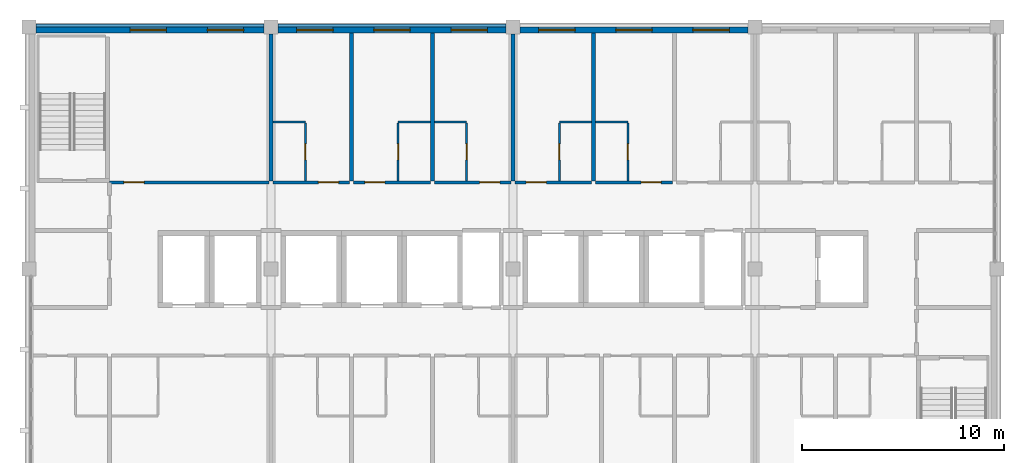
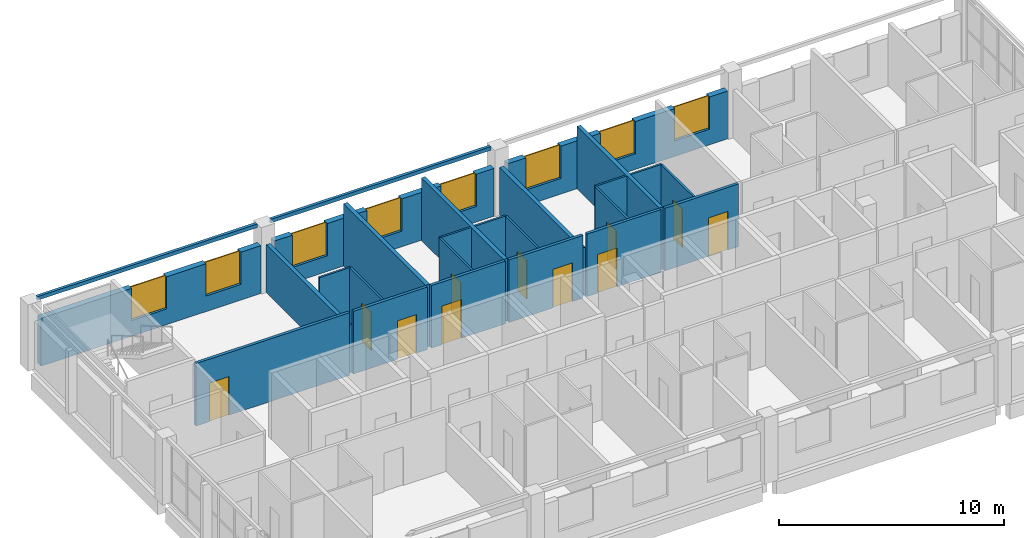
# One storey, part 8 of 11: 26 walls, 11 doors, 8 windows, 19 openings.
"""IFC4 building model written with IfcOpenShell, lengths in metres."""

from ifc_helpers import new_model, si_unit, direction, frame, frame_2d, origin, place, context, subcontext, project, spatial, rectangle, extrude, material, layer, layer_set, type_object, element, fill, save


model = new_model("IFC4")

# Units and contexts
model_context = context("Model", 3, precision=1e-05, world=origin(), true_north=direction((0.0, 1.0)))
body_context = subcontext(model_context, "Body", "Model", "MODEL_VIEW")
ifc_project = project(units=[si_unit("LENGTHUNIT", "METRE"), si_unit("AREAUNIT", "SQUARE_METRE"), si_unit("VOLUMEUNIT", "CUBIC_METRE"), si_unit("PLANEANGLEUNIT", "RADIAN"), si_unit("MASSUNIT", "GRAM", prefix="KILO")], contexts=[model_context])

# Site, building, storey
site_placement = place(None, origin())
site = spatial("IfcSite", under=ifc_project, at=site_placement, CompositionType="ELEMENT")
building_placement = place(site_placement, origin())
building = spatial("IfcBuilding", under=site, at=building_placement, Name="Lilac Gate Convention Centre", CompositionType="ELEMENT")
storey_placement = place(building_placement, frame((0.0, 0.0, 53.39990234375)))
storey = spatial("IfcBuildingStorey", under=building, at=storey_placement, Name="L13", CompositionType="ELEMENT", Elevation=53.39990234375)

# Wall, opening, door
ifc_material_1 = material(Name="Gypsum board on steel stud", Category="steel")
ifc_layer_1 = layer(ifc_material_1, 0.14990234375)
ifc_layer_set_1 = layer_set([ifc_layer_1], Name="Gypsum board on steel stud")
wall_type_1 = type_object("IfcWallType", Name="Corridor wall 150", PredefinedType="PARTITIONING", material=ifc_layer_set_1)
wall_1_placement = place(storey_placement, frame((46.0, 238.300048828125, 0.0), z_axis=(0.0, 0.0, 1.0), x_axis=(1.0, 0.0, 0.0)))
wall_1 = element("IfcWall", 1, at=wall_1_placement, inside=storey, type_object=wall_type_1, Name="Corridor wall 150 front lounge", PredefinedType="PARTITIONING", context=body_context, shape_type="SweptSolid", body=[
    extrude(rectangle(XDim=7.89990234375, YDim=0.14990234375, at=frame_2d((3.949951171875, 0.0))), origin(), (0.0, 0.0, 1.0), 3.400146484375),
])
opening_1_placement = place(wall_1_placement, frame((0.699951171875, 0.0, 0.0)))
opening_1 = element("IfcOpeningElement", 2, at=opening_1_placement, cuts=wall_1, Name="Opening T13-028", PredefinedType="OPENING", context=body_context, shape_type="SweptSolid", body=[
    extrude(rectangle(XDim=1.0, YDim=2.10009765625, at=frame_2d((0.5, 1.050048828125))), frame((0.0, 0.0849609375, 0.0), z_axis=(0.0, -1.0, 0.0), x_axis=(1.0, 0.0, 0.0)), (0.0, 0.0, 1.0), 0.169921875),
])
ifc_material_2 = material(Name="Timber", Category="wood")
door_type_1 = type_object("IfcDoorType", Name="Room door 1000", OperationType="SINGLE_SWING_LEFT", PredefinedType="DOOR", material=ifc_material_2)
door_1_placement = place(opening_1_placement, origin())
door_1 = element("IfcDoor", 3, at=door_1_placement, inside=storey, type_object=door_type_1, Name="Executive lounge door", OperationType="SINGLE_SWING_LEFT", OverallHeight=2.10009765625, OverallWidth=1.0, PredefinedType="DOOR", context=body_context, shape_type="SweptSolid", body=[
    extrude(rectangle(XDim=1.0, YDim=2.10009765625, at=frame_2d((0.5, 1.050048828125))), frame((0.0, 0.02490234375, 0.0), z_axis=(0.0, -1.0, 0.0), x_axis=(1.0, 0.0, 0.0)), (0.0, 0.0, 1.0), 0.050048828125),
])
fill(opening_1, door_1)

wall_2_placement = place(storey_placement, frame((54.10009765625, 238.300048828125, 0.0), z_axis=(0.0, 0.0, 1.0), x_axis=(1.0, 0.0, 0.0)))
wall_2 = element("IfcWall", 4, at=wall_2_placement, inside=storey, type_object=wall_type_1, Name="Corridor wall 150 front 1312", PredefinedType="PARTITIONING", context=body_context, shape_type="SweptSolid", body=[
    extrude(rectangle(XDim=3.7998046875, YDim=0.14990234375, at=frame_2d((1.89990234375, 0.0))), origin(), (0.0, 0.0, 1.0), 3.400146484375),
])
opening_2_placement = place(wall_2_placement, frame((2.25, 0.0, 0.0)))
opening_2 = element("IfcOpeningElement", 5, at=opening_2_placement, cuts=wall_2, Name="Opening T13-029", PredefinedType="OPENING", context=body_context, shape_type="SweptSolid", body=[
    extrude(rectangle(XDim=1.0, YDim=2.10009765625, at=frame_2d((0.5, 1.050048828125))), frame((0.0, 0.0849609375, 0.0), z_axis=(0.0, -1.0, 0.0), x_axis=(1.0, 0.0, 0.0)), (0.0, 0.0, 1.0), 0.169921875),
])
door_type_2 = type_object("IfcDoorType", Name="Guest room entrance door 1000", OperationType="SINGLE_SWING_LEFT", PredefinedType="DOOR", material=ifc_material_2)
door_2_placement = place(opening_2_placement, origin())
door_2 = element("IfcDoor", 6, at=door_2_placement, inside=storey, type_object=door_type_2, Name="Guest room door 1312", OperationType="SINGLE_SWING_RIGHT", OverallHeight=2.10009765625, OverallWidth=1.0, PredefinedType="DOOR", context=body_context, shape_type="SweptSolid", body=[
    extrude(rectangle(XDim=1.0, YDim=2.10009765625, at=frame_2d((0.5, 1.050048828125))), frame((0.0, 0.02490234375, 0.0), z_axis=(0.0, -1.0, 0.0), x_axis=(1.0, 0.0, 0.0)), (0.0, 0.0, 1.0), 0.050048828125),
])
fill(opening_2, door_2)

wall_3_placement = place(storey_placement, frame((58.10009765625, 238.300048828125, 0.0), z_axis=(0.0, 0.0, 1.0), x_axis=(1.0, 0.0, 0.0)))
wall_3 = element("IfcWall", 7, at=wall_3_placement, inside=storey, type_object=wall_type_1, Name="Corridor wall 150 front 1313", PredefinedType="PARTITIONING", context=body_context, shape_type="SweptSolid", body=[
    extrude(rectangle(XDim=3.7998046875, YDim=0.14990234375, at=frame_2d((1.89990234375, 0.0))), origin(), (0.0, 0.0, 1.0), 3.400146484375),
])
opening_3_placement = place(wall_3_placement, frame((0.550048828125, 0.0, 0.0)))
opening_3 = element("IfcOpeningElement", 8, at=opening_3_placement, cuts=wall_3, Name="Opening T13-031", PredefinedType="OPENING", context=body_context, shape_type="SweptSolid", body=[
    extrude(rectangle(XDim=1.0, YDim=2.10009765625, at=frame_2d((0.5, 1.050048828125))), frame((0.0, 0.0849609375, 0.0), z_axis=(0.0, -1.0, 0.0), x_axis=(1.0, 0.0, 0.0)), (0.0, 0.0, 1.0), 0.169921875),
])
door_3_placement = place(opening_3_placement, origin())
door_3 = element("IfcDoor", 9, at=door_3_placement, inside=storey, type_object=door_type_2, Name="Guest room door 1313", OperationType="SINGLE_SWING_LEFT", OverallHeight=2.10009765625, OverallWidth=1.0, PredefinedType="DOOR", context=body_context, shape_type="SweptSolid", body=[
    extrude(rectangle(XDim=1.0, YDim=2.10009765625, at=frame_2d((0.5, 1.050048828125))), frame((0.0, 0.02490234375, 0.0), z_axis=(0.0, -1.0, 0.0), x_axis=(1.0, 0.0, 0.0)), (0.0, 0.0, 1.0), 0.050048828125),
])
fill(opening_3, door_3)

wall_4_placement = place(storey_placement, frame((62.10009765625, 238.300048828125, 0.0), z_axis=(0.0, 0.0, 1.0), x_axis=(1.0, 0.0, 0.0)))
wall_4 = element("IfcWall", 10, at=wall_4_placement, inside=storey, type_object=wall_type_1, Name="Corridor wall 150 front 1314", PredefinedType="PARTITIONING", context=body_context, shape_type="SweptSolid", body=[
    extrude(rectangle(XDim=3.7998046875, YDim=0.14990234375, at=frame_2d((1.89990234375, 0.0))), origin(), (0.0, 0.0, 1.0), 3.400146484375),
])
opening_4_placement = place(wall_4_placement, frame((2.25, 0.0, 0.0)))
opening_4 = element("IfcOpeningElement", 11, at=opening_4_placement, cuts=wall_4, Name="Opening T13-033", PredefinedType="OPENING", context=body_context, shape_type="SweptSolid", body=[
    extrude(rectangle(XDim=1.0, YDim=2.10009765625, at=frame_2d((0.5, 1.050048828125))), frame((0.0, 0.0849609375, 0.0), z_axis=(0.0, -1.0, 0.0), x_axis=(1.0, 0.0, 0.0)), (0.0, 0.0, 1.0), 0.169921875),
])
door_4_placement = place(opening_4_placement, origin())
door_4 = element("IfcDoor", 12, at=door_4_placement, inside=storey, type_object=door_type_2, Name="Guest room door 1314", OperationType="SINGLE_SWING_LEFT", OverallHeight=2.10009765625, OverallWidth=1.0, PredefinedType="DOOR", context=body_context, shape_type="SweptSolid", body=[
    extrude(rectangle(XDim=1.0, YDim=2.10009765625, at=frame_2d((0.5, 1.050048828125))), frame((0.0, 0.02490234375, 0.0), z_axis=(0.0, -1.0, 0.0), x_axis=(1.0, 0.0, 0.0)), (0.0, 0.0, 1.0), 0.050048828125),
])
fill(opening_4, door_4)

wall_5_placement = place(storey_placement, frame((66.10009765625, 238.300048828125, 0.0), z_axis=(0.0, 0.0, 1.0), x_axis=(1.0, 0.0, 0.0)))
wall_5 = element("IfcWall", 13, at=wall_5_placement, inside=storey, type_object=wall_type_1, Name="Corridor wall 150 front 1315", PredefinedType="PARTITIONING", context=body_context, shape_type="SweptSolid", body=[
    extrude(rectangle(XDim=3.7998046875, YDim=0.14990234375, at=frame_2d((1.89990234375, 0.0))), origin(), (0.0, 0.0, 1.0), 3.400146484375),
])
opening_5_placement = place(wall_5_placement, frame((0.550048828125, 0.0, 0.0)))
opening_5 = element("IfcOpeningElement", 14, at=opening_5_placement, cuts=wall_5, Name="Opening T13-035", PredefinedType="OPENING", context=body_context, shape_type="SweptSolid", body=[
    extrude(rectangle(XDim=1.0, YDim=2.10009765625, at=frame_2d((0.5, 1.050048828125))), frame((0.0, 0.0849609375, 0.0), z_axis=(0.0, -1.0, 0.0), x_axis=(1.0, 0.0, 0.0)), (0.0, 0.0, 1.0), 0.169921875),
])
door_5_placement = place(opening_5_placement, origin())
door_5 = element("IfcDoor", 15, at=door_5_placement, inside=storey, type_object=door_type_2, Name="Guest room door 1315", OperationType="SINGLE_SWING_LEFT", OverallHeight=2.10009765625, OverallWidth=1.0, PredefinedType="DOOR", context=body_context, shape_type="SweptSolid", body=[
    extrude(rectangle(XDim=1.0, YDim=2.10009765625, at=frame_2d((0.5, 1.050048828125))), frame((0.0, 0.02490234375, 0.0), z_axis=(0.0, -1.0, 0.0), x_axis=(1.0, 0.0, 0.0)), (0.0, 0.0, 1.0), 0.050048828125),
])
fill(opening_5, door_5)

wall_6_placement = place(storey_placement, frame((70.10009765625, 238.300048828125, 0.0), z_axis=(0.0, 0.0, 1.0), x_axis=(1.0, 0.0, 0.0)))
wall_6 = element("IfcWall", 16, at=wall_6_placement, inside=storey, type_object=wall_type_1, Name="Corridor wall 150 front 1316", PredefinedType="PARTITIONING", context=body_context, shape_type="SweptSolid", body=[
    extrude(rectangle(XDim=3.7998046875, YDim=0.14990234375, at=frame_2d((1.89990234375, 0.0))), origin(), (0.0, 0.0, 1.0), 3.400146484375),
])
opening_6_placement = place(wall_6_placement, frame((2.25, 0.0, 0.0)))
opening_6 = element("IfcOpeningElement", 17, at=opening_6_placement, cuts=wall_6, Name="Opening T13-037", PredefinedType="OPENING", context=body_context, shape_type="SweptSolid", body=[
    extrude(rectangle(XDim=1.0, YDim=2.10009765625, at=frame_2d((0.5, 1.050048828125))), frame((0.0, 0.0849609375, 0.0), z_axis=(0.0, -1.0, 0.0), x_axis=(1.0, 0.0, 0.0)), (0.0, 0.0, 1.0), 0.169921875),
])
door_6_placement = place(opening_6_placement, origin())
door_6 = element("IfcDoor", 18, at=door_6_placement, inside=storey, type_object=door_type_2, Name="Guest room door 1316", OperationType="SINGLE_SWING_LEFT", OverallHeight=2.10009765625, OverallWidth=1.0, PredefinedType="DOOR", context=body_context, shape_type="SweptSolid", body=[
    extrude(rectangle(XDim=1.0, YDim=2.10009765625, at=frame_2d((0.5, 1.050048828125))), frame((0.0, 0.02490234375, 0.0), z_axis=(0.0, -1.0, 0.0), x_axis=(1.0, 0.0, 0.0)), (0.0, 0.0, 1.0), 0.050048828125),
])
fill(opening_6, door_6)

# Wall
ifc_layer_2 = layer(ifc_material_1, 0.10009765625)
ifc_layer_set_2 = layer_set([ifc_layer_2], Name="Gypsum board on steel stud")
wall_type_2 = type_object("IfcWallType", Name="En-suite wall 100", PredefinedType="PARTITIONING", material=ifc_layer_set_2)
wall_7_placement = place(storey_placement, frame((54.10009765625, 241.300048828125, 0.0), z_axis=(0.0, 0.0, 1.0), x_axis=(1.0, 0.0, 0.0)))
element("IfcWall", 19, at=wall_7_placement, inside=storey, type_object=wall_type_2, Name="En-suite wall 100 bath 1312", PredefinedType="PARTITIONING", context=body_context, shape_type="SweptSolid", body=[
    extrude(rectangle(XDim=1.599853515625, YDim=0.10009765625, at=frame_2d((0.7998046875, 0.0))), origin(), (0.0, 0.0, 1.0), 3.400146484375),
])

# Wall, opening, door
wall_8_placement = place(storey_placement, frame((55.699951171875, 241.25, 0.0), z_axis=(0.0, 0.0, 1.0), x_axis=(0.0, -1.0, 0.0)))
wall_8 = element("IfcWall", 20, at=wall_8_placement, inside=storey, type_object=wall_type_2, Name="En-suite wall 100 bath side 1312", PredefinedType="PARTITIONING", context=body_context, shape_type="SweptSolid", body=[
    extrude(rectangle(XDim=2.875, YDim=0.10009765625, at=frame_2d((1.4375, 0.0))), origin(), (0.0, 0.0, 1.0), 3.400146484375),
])
opening_7_placement = place(wall_8_placement, frame((1.03759765625, 0.0, 0.0)))
opening_7 = element("IfcOpeningElement", 21, at=opening_7_placement, cuts=wall_8, Name="Opening T13-030", PredefinedType="OPENING", context=body_context, shape_type="SweptSolid", body=[
    extrude(rectangle(XDim=0.800048828125, YDim=2.10009765625, at=frame_2d((0.39990234375, 1.050048828125))), frame((0.0, 0.06005859375, 0.0), z_axis=(0.0, -1.0, 0.0), x_axis=(1.0, 0.0, 0.0)), (0.0, 0.0, 1.0), 0.1201171875),
])
door_type_3 = type_object("IfcDoorType", Name="En-suite door 800", OperationType="SINGLE_SWING_LEFT", PredefinedType="DOOR", material=ifc_material_2)
door_7_placement = place(opening_7_placement, origin())
door_7 = element("IfcDoor", 22, at=door_7_placement, inside=storey, type_object=door_type_3, Name="En-suite door 1312", OperationType="SINGLE_SWING_RIGHT", OverallHeight=2.10009765625, OverallWidth=0.800048828125, PredefinedType="DOOR", context=body_context, shape_type="SweptSolid", body=[
    extrude(rectangle(XDim=0.800048828125, YDim=2.10009765625, at=frame_2d((0.39990234375, 1.050048828125))), frame((0.0, 0.02490234375, 0.0), z_axis=(0.0, -1.0, 0.0), x_axis=(1.0, 0.0, 0.0)), (0.0, 0.0, 1.0), 0.050048828125),
])
fill(opening_7, door_7)

# Wall
wall_9_placement = place(storey_placement, frame((60.300048828125, 241.300048828125, 0.0), z_axis=(0.0, 0.0, 1.0), x_axis=(1.0, 0.0, 0.0)))
element("IfcWall", 23, at=wall_9_placement, inside=storey, type_object=wall_type_2, Name="En-suite wall 100 bath 1313", PredefinedType="PARTITIONING", context=body_context, shape_type="SweptSolid", body=[
    extrude(rectangle(XDim=1.599853515625, YDim=0.10009765625, at=frame_2d((0.7998046875, 0.0))), origin(), (0.0, 0.0, 1.0), 3.400146484375),
])

# Wall, opening, door
wall_10_placement = place(storey_placement, frame((60.300048828125, 238.375, 0.0), z_axis=(0.0, 0.0, 1.0), x_axis=(0.0, 1.0, 0.0)))
wall_10 = element("IfcWall", 24, at=wall_10_placement, inside=storey, type_object=wall_type_2, Name="En-suite wall 100 bath side 1313", PredefinedType="PARTITIONING", context=body_context, shape_type="SweptSolid", body=[
    extrude(rectangle(XDim=2.875, YDim=0.10009765625, at=frame_2d((1.4375, 0.0))), origin(), (0.0, 0.0, 1.0), 3.400146484375),
])
opening_8_placement = place(wall_10_placement, frame((1.03759765625, 0.0, 0.0)))
opening_8 = element("IfcOpeningElement", 25, at=opening_8_placement, cuts=wall_10, Name="Opening T13-032", PredefinedType="OPENING", context=body_context, shape_type="SweptSolid", body=[
    extrude(rectangle(XDim=0.800048828125, YDim=2.10009765625, at=frame_2d((0.39990234375, 1.050048828125))), frame((0.0, 0.06005859375, 0.0), z_axis=(0.0, -1.0, 0.0), x_axis=(1.0, 0.0, 0.0)), (0.0, 0.0, 1.0), 0.1201171875),
])
door_8_placement = place(opening_8_placement, origin())
door_8 = element("IfcDoor", 26, at=door_8_placement, inside=storey, type_object=door_type_3, Name="En-suite door 1313", OperationType="SINGLE_SWING_LEFT", OverallHeight=2.10009765625, OverallWidth=0.800048828125, PredefinedType="DOOR", context=body_context, shape_type="SweptSolid", body=[
    extrude(rectangle(XDim=0.800048828125, YDim=2.10009765625, at=frame_2d((0.39990234375, 1.050048828125))), frame((0.0, 0.02490234375, 0.0), z_axis=(0.0, -1.0, 0.0), x_axis=(1.0, 0.0, 0.0)), (0.0, 0.0, 1.0), 0.050048828125),
])
fill(opening_8, door_8)

# Wall
wall_11_placement = place(storey_placement, frame((62.10009765625, 241.300048828125, 0.0), z_axis=(0.0, 0.0, 1.0), x_axis=(1.0, 0.0, 0.0)))
element("IfcWall", 27, at=wall_11_placement, inside=storey, type_object=wall_type_2, Name="En-suite wall 100 bath 1314", PredefinedType="PARTITIONING", context=body_context, shape_type="SweptSolid", body=[
    extrude(rectangle(XDim=1.599853515625, YDim=0.10009765625, at=frame_2d((0.7998046875, 0.0))), origin(), (0.0, 0.0, 1.0), 3.400146484375),
])

# Wall, opening, door
wall_12_placement = place(storey_placement, frame((63.699951171875, 241.25, 0.0), z_axis=(0.0, 0.0, 1.0), x_axis=(0.0, -1.0, 0.0)))
wall_12 = element("IfcWall", 28, at=wall_12_placement, inside=storey, type_object=wall_type_2, Name="En-suite wall 100 bath side 1314", PredefinedType="PARTITIONING", context=body_context, shape_type="SweptSolid", body=[
    extrude(rectangle(XDim=2.875, YDim=0.10009765625, at=frame_2d((1.4375, 0.0))), origin(), (0.0, 0.0, 1.0), 3.400146484375),
])
opening_9_placement = place(wall_12_placement, frame((1.03759765625, 0.0, 0.0)))
opening_9 = element("IfcOpeningElement", 29, at=opening_9_placement, cuts=wall_12, Name="Opening T13-034", PredefinedType="OPENING", context=body_context, shape_type="SweptSolid", body=[
    extrude(rectangle(XDim=0.800048828125, YDim=2.10009765625, at=frame_2d((0.39990234375, 1.050048828125))), frame((0.0, 0.06005859375, 0.0), z_axis=(0.0, -1.0, 0.0), x_axis=(1.0, 0.0, 0.0)), (0.0, 0.0, 1.0), 0.1201171875),
])
door_9_placement = place(opening_9_placement, origin())
door_9 = element("IfcDoor", 30, at=door_9_placement, inside=storey, type_object=door_type_3, Name="En-suite door 1314", OperationType="SINGLE_SWING_RIGHT", OverallHeight=2.10009765625, OverallWidth=0.800048828125, PredefinedType="DOOR", context=body_context, shape_type="SweptSolid", body=[
    extrude(rectangle(XDim=0.800048828125, YDim=2.10009765625, at=frame_2d((0.39990234375, 1.050048828125))), frame((0.0, 0.02490234375, 0.0), z_axis=(0.0, -1.0, 0.0), x_axis=(1.0, 0.0, 0.0)), (0.0, 0.0, 1.0), 0.050048828125),
])
fill(opening_9, door_9)

# Wall
wall_13_placement = place(storey_placement, frame((68.300048828125, 241.300048828125, 0.0), z_axis=(0.0, 0.0, 1.0), x_axis=(1.0, 0.0, 0.0)))
element("IfcWall", 31, at=wall_13_placement, inside=storey, type_object=wall_type_2, Name="En-suite wall 100 bath 1315", PredefinedType="PARTITIONING", context=body_context, shape_type="SweptSolid", body=[
    extrude(rectangle(XDim=1.599853515625, YDim=0.10009765625, at=frame_2d((0.7998046875, 0.0))), origin(), (0.0, 0.0, 1.0), 3.400146484375),
])

# Wall, opening, door
wall_14_placement = place(storey_placement, frame((68.300048828125, 238.375, 0.0), z_axis=(0.0, 0.0, 1.0), x_axis=(0.0, 1.0, 0.0)))
wall_14 = element("IfcWall", 32, at=wall_14_placement, inside=storey, type_object=wall_type_2, Name="En-suite wall 100 bath side 1315", PredefinedType="PARTITIONING", context=body_context, shape_type="SweptSolid", body=[
    extrude(rectangle(XDim=2.875, YDim=0.10009765625, at=frame_2d((1.4375, 0.0))), origin(), (0.0, 0.0, 1.0), 3.400146484375),
])
opening_10_placement = place(wall_14_placement, frame((1.03759765625, 0.0, 0.0)))
opening_10 = element("IfcOpeningElement", 33, at=opening_10_placement, cuts=wall_14, Name="Opening T13-036", PredefinedType="OPENING", context=body_context, shape_type="SweptSolid", body=[
    extrude(rectangle(XDim=0.800048828125, YDim=2.10009765625, at=frame_2d((0.39990234375, 1.050048828125))), frame((0.0, 0.06005859375, 0.0), z_axis=(0.0, -1.0, 0.0), x_axis=(1.0, 0.0, 0.0)), (0.0, 0.0, 1.0), 0.1201171875),
])
door_10_placement = place(opening_10_placement, origin())
door_10 = element("IfcDoor", 34, at=door_10_placement, inside=storey, type_object=door_type_3, Name="En-suite door 1315", OperationType="SINGLE_SWING_LEFT", OverallHeight=2.10009765625, OverallWidth=0.800048828125, PredefinedType="DOOR", context=body_context, shape_type="SweptSolid", body=[
    extrude(rectangle(XDim=0.800048828125, YDim=2.10009765625, at=frame_2d((0.39990234375, 1.050048828125))), frame((0.0, 0.02490234375, 0.0), z_axis=(0.0, -1.0, 0.0), x_axis=(1.0, 0.0, 0.0)), (0.0, 0.0, 1.0), 0.050048828125),
])
fill(opening_10, door_10)

# Wall
wall_15_placement = place(storey_placement, frame((70.10009765625, 241.300048828125, 0.0), z_axis=(0.0, 0.0, 1.0), x_axis=(1.0, 0.0, 0.0)))
element("IfcWall", 35, at=wall_15_placement, inside=storey, type_object=wall_type_2, Name="En-suite wall 100 bath 1316", PredefinedType="PARTITIONING", context=body_context, shape_type="SweptSolid", body=[
    extrude(rectangle(XDim=1.599853515625, YDim=0.10009765625, at=frame_2d((0.7998046875, 0.0))), origin(), (0.0, 0.0, 1.0), 3.400146484375),
])

# Wall, opening, door
wall_16_placement = place(storey_placement, frame((71.699951171875, 241.25, 0.0), z_axis=(0.0, 0.0, 1.0), x_axis=(0.0, -1.0, 0.0)))
wall_16 = element("IfcWall", 36, at=wall_16_placement, inside=storey, type_object=wall_type_2, Name="En-suite wall 100 bath side 1316", PredefinedType="PARTITIONING", context=body_context, shape_type="SweptSolid", body=[
    extrude(rectangle(XDim=2.875, YDim=0.10009765625, at=frame_2d((1.4375, 0.0))), origin(), (0.0, 0.0, 1.0), 3.400146484375),
])
opening_11_placement = place(wall_16_placement, frame((1.03759765625, 0.0, 0.0)))
opening_11 = element("IfcOpeningElement", 37, at=opening_11_placement, cuts=wall_16, Name="Opening T13-038", PredefinedType="OPENING", context=body_context, shape_type="SweptSolid", body=[
    extrude(rectangle(XDim=0.800048828125, YDim=2.10009765625, at=frame_2d((0.39990234375, 1.050048828125))), frame((0.0, 0.06005859375, 0.0), z_axis=(0.0, -1.0, 0.0), x_axis=(1.0, 0.0, 0.0)), (0.0, 0.0, 1.0), 0.1201171875),
])
door_11_placement = place(opening_11_placement, origin())
door_11 = element("IfcDoor", 38, at=door_11_placement, inside=storey, type_object=door_type_3, Name="En-suite door 1316", OperationType="SINGLE_SWING_RIGHT", OverallHeight=2.10009765625, OverallWidth=0.800048828125, PredefinedType="DOOR", context=body_context, shape_type="SweptSolid", body=[
    extrude(rectangle(XDim=0.800048828125, YDim=2.10009765625, at=frame_2d((0.39990234375, 1.050048828125))), frame((0.0, 0.02490234375, 0.0), z_axis=(0.0, -1.0, 0.0), x_axis=(1.0, 0.0, 0.0)), (0.0, 0.0, 1.0), 0.050048828125),
])
fill(opening_11, door_11)

# Walls
ifc_layer_3 = layer(ifc_material_1, 0.199951171875)
ifc_layer_set_3 = layer_set([ifc_layer_3], Name="Gypsum board on steel stud")
wall_type_3 = type_object("IfcWallType", Name="Guest room party wall 200", PredefinedType="PARTITIONING", material=ifc_layer_set_3)
wall_17_placement = place(storey_placement, frame((54.0, 245.64990234375, 0.0), z_axis=(0.0, 0.0, 1.0), x_axis=(0.0, -1.0, 0.0)))
element("IfcWall", 39, at=wall_17_placement, inside=storey, type_object=wall_type_3, Name="Guest room party wall 200 party 54.0", PredefinedType="PARTITIONING", context=body_context, shape_type="SweptSolid", body=[
    extrude(rectangle(XDim=7.27490234375, YDim=0.199951171875, at=frame_2d((3.637451171875, 0.0))), origin(), (0.0, 0.0, 1.0), 2.60009765625),
])
for number, where, z_axis, x_axis, name in (
    (40, (58.0, 245.7001953125, 0.0), (0.0, 0.0, 1.0), (0.0, -1.0, 0.0), "Guest room party wall 200 party 58.0"),
    (41, (62.0, 245.7001953125, 0.0), (0.0, 0.0, 1.0), (0.0, -1.0, 0.0), "Guest room party wall 200 party 62.0"),
):
    element("IfcWall", number, at=place(storey_placement, frame(where, z_axis=z_axis, x_axis=x_axis)), inside=storey, type_object=wall_type_3, Name=name, PredefinedType="PARTITIONING", context=body_context, shape_type="SweptSolid", body=[
        extrude(rectangle(XDim=7.3251953125, YDim=0.199951171875, at=frame_2d((3.66259765625, 0.0))), origin(), (0.0, 0.0, 1.0), 3.400146484375),
    ])
wall_18_placement = place(storey_placement, frame((66.0, 245.64990234375, 0.0), z_axis=(0.0, 0.0, 1.0), x_axis=(0.0, -1.0, 0.0)))
element("IfcWall", 42, at=wall_18_placement, inside=storey, type_object=wall_type_3, Name="Guest room party wall 200 party 66.0", PredefinedType="PARTITIONING", context=body_context, shape_type="SweptSolid", body=[
    extrude(rectangle(XDim=7.27490234375, YDim=0.199951171875, at=frame_2d((3.637451171875, 0.0))), origin(), (0.0, 0.0, 1.0), 2.60009765625),
])
wall_19_placement = place(storey_placement, frame((70.0, 245.7001953125, 0.0), z_axis=(0.0, 0.0, 1.0), x_axis=(0.0, -1.0, 0.0)))
element("IfcWall", 43, at=wall_19_placement, inside=storey, type_object=wall_type_3, Name="Guest room party wall 200 party 70.0", PredefinedType="PARTITIONING", context=body_context, shape_type="SweptSolid", body=[
    extrude(rectangle(XDim=7.3251953125, YDim=0.199951171875, at=frame_2d((3.66259765625, 0.0))), origin(), (0.0, 0.0, 1.0), 3.400146484375),
])
ifc_material_3 = material(Name="Concrete C40 precast", Category="concrete")
ifc_layer_4 = layer(ifc_material_3, 0.1298828125)
ifc_material_4 = material(Name="Ochre mineral render")
ifc_layer_5 = layer(ifc_material_4, 0.02001953125)
ifc_layer_set_4 = layer_set([ifc_layer_4, ifc_layer_5], Name="Concrete C40 precast, Ochre mineral render")
wall_type_4 = type_object("IfcWallType", Name="Precast band ochre 150", PredefinedType="STANDARD", material=ifc_layer_set_4)
for number, where, z_axis, x_axis, name in (
    (44, (65.64990234375, 246.074951171875, 3.400146484375), (0.0, 0.0, 1.0), (-1.0, 0.0, 0.0), "Precast band N L13 3"),
    (45, (53.64990234375, 246.074951171875, 3.400146484375), (0.0, 0.0, 1.0), (-1.0, 0.0, 0.0), "Precast band N L13 4"),
):
    element("IfcWall", number, at=place(storey_placement, frame(where, z_axis=z_axis, x_axis=x_axis)), inside=storey, type_object=wall_type_4, Name=name, PredefinedType="STANDARD", context=body_context, shape_type="SweptSolid", body=[
        extrude(rectangle(XDim=11.2998046875, YDim=0.14990234375, at=frame_2d((5.64990234375, 0.0))), origin(), (0.0, 0.0, 1.0), 0.199951171875),
    ])

# Wall, openings, windows
ifc_material_5 = material(Name="Terracotta glazed cladding", Category="masonry")
ifc_layer_6 = layer(ifc_material_5, 0.02001953125)
ifc_layer_7 = layer(ifc_material_3, 0.06005859375)
ifc_material_6 = material(Name="Ventilated air cavity")
ifc_layer_8 = layer(ifc_material_6, 0.030029296875)
ifc_material_7 = material(Name="Mineral wool insulation")
ifc_layer_9 = layer(ifc_material_7, 0.1201171875)
ifc_material_8 = material(Name="Steel stud Q345 and gypsum lining", Category="steel")
ifc_layer_10 = layer(ifc_material_8, 0.070068359375)
ifc_layer_set_5 = layer_set([ifc_layer_6, ifc_layer_7, ifc_layer_8, ifc_layer_9, ifc_layer_10], Name="Terracotta glazed cladding, Concrete C40 precast, Ventilated air cavity, Mineral wool insulation, Steel stud Q345 and gypsum lining")
wall_type_5 = type_object("IfcWallType", Name="Precast panel wall terracotta 300", PredefinedType="STANDARD", material=ifc_layer_set_5)
wall_20_placement = place(storey_placement, frame((77.64990234375, 245.85009765625, 0.0), z_axis=(0.0, 0.0, 1.0), x_axis=(-1.0, 0.0, 0.0)))
wall_20 = element("IfcWall", 46, at=wall_20_placement, inside=storey, type_object=wall_type_5, Name="External wall N L13 2", PredefinedType="STANDARD", context=body_context, shape_type="SweptSolid", body=[
    extrude(rectangle(XDim=11.2998046875, YDim=0.300048828125, at=frame_2d((5.64990234375, 0.0))), origin(), (0.0, 0.0, 1.0), 2.60009765625),
])
opening_12_placement = place(wall_20_placement, frame((8.574951171875, 0.0, 0.85009765625)))
opening_12 = element("IfcOpeningElement", 47, at=opening_12_placement, cuts=wall_20, Name="Opening W1", PredefinedType="OPENING", context=body_context, shape_type="SweptSolid", body=[
    extrude(rectangle(XDim=1.800048828125, YDim=1.75, at=frame_2d((0.89990234375, 0.875))), frame((0.0, 0.159912109375, 0.0), z_axis=(0.0, -1.0, 0.0), x_axis=(1.0, 0.0, 0.0)), (0.0, 0.0, 1.0), 0.320068359375),
])
opening_13_placement = place(wall_20_placement, frame((4.75, 0.0, 0.85009765625)))
opening_13 = element("IfcOpeningElement", 48, at=opening_13_placement, cuts=wall_20, Name="Opening W1", PredefinedType="OPENING", context=body_context, shape_type="SweptSolid", body=[
    extrude(rectangle(XDim=1.800048828125, YDim=1.75, at=frame_2d((0.89990234375, 0.875))), frame((0.0, 0.159912109375, 0.0), z_axis=(0.0, -1.0, 0.0), x_axis=(1.0, 0.0, 0.0)), (0.0, 0.0, 1.0), 0.320068359375),
])
opening_14_placement = place(wall_20_placement, frame((0.925048828125, 0.0, 0.85009765625)))
opening_14 = element("IfcOpeningElement", 49, at=opening_14_placement, cuts=wall_20, Name="Opening W1", PredefinedType="OPENING", context=body_context, shape_type="SweptSolid", body=[
    extrude(rectangle(XDim=1.800048828125, YDim=1.75, at=frame_2d((0.89990234375, 0.875))), frame((0.0, 0.159912109375, 0.0), z_axis=(0.0, -1.0, 0.0), x_axis=(1.0, 0.0, 0.0)), (0.0, 0.0, 1.0), 0.320068359375),
])
ifc_material_9 = material(Name="Aluminium framed double glazing", Category="aluminium")
window_type = type_object("IfcWindowType", Name="Guest room window 1800 x 1750", PartitioningType="DOUBLE_PANEL_VERTICAL", PredefinedType="WINDOW", material=ifc_material_9)
window_1_placement = place(opening_12_placement, origin())
window_1 = element("IfcWindow", 50, at=window_1_placement, inside=storey, type_object=window_type, Name="Window Guest N L13", OverallHeight=1.75, OverallWidth=1.800048828125, PartitioningType="SINGLE_PANEL", PredefinedType="WINDOW", context=body_context, shape_type="SweptSolid", body=[
    extrude(rectangle(XDim=1.800048828125, YDim=1.75, at=frame_2d((0.89990234375, 0.875))), frame((0.0, 0.030029296875, 0.0), z_axis=(0.0, -1.0, 0.0), x_axis=(1.0, 0.0, 0.0)), (0.0, 0.0, 1.0), 0.06005859375),
])
fill(opening_12, window_1)
window_2_placement = place(opening_13_placement, origin())
window_2 = element("IfcWindow", 51, at=window_2_placement, inside=storey, type_object=window_type, Name="Window Guest N L13", OverallHeight=1.75, OverallWidth=1.800048828125, PartitioningType="SINGLE_PANEL", PredefinedType="WINDOW", context=body_context, shape_type="SweptSolid", body=[
    extrude(rectangle(XDim=1.800048828125, YDim=1.75, at=frame_2d((0.89990234375, 0.875))), frame((0.0, 0.030029296875, 0.0), z_axis=(0.0, -1.0, 0.0), x_axis=(1.0, 0.0, 0.0)), (0.0, 0.0, 1.0), 0.06005859375),
])
fill(opening_13, window_2)
window_3_placement = place(opening_14_placement, origin())
window_3 = element("IfcWindow", 52, at=window_3_placement, inside=storey, type_object=window_type, Name="Window Guest N L13", OverallHeight=1.75, OverallWidth=1.800048828125, PartitioningType="SINGLE_PANEL", PredefinedType="WINDOW", context=body_context, shape_type="SweptSolid", body=[
    extrude(rectangle(XDim=1.800048828125, YDim=1.75, at=frame_2d((0.89990234375, 0.875))), frame((0.0, 0.030029296875, 0.0), z_axis=(0.0, -1.0, 0.0), x_axis=(1.0, 0.0, 0.0)), (0.0, 0.0, 1.0), 0.06005859375),
])
fill(opening_14, window_3)

wall_21_placement = place(storey_placement, frame((65.64990234375, 245.85009765625, 0.0), z_axis=(0.0, 0.0, 1.0), x_axis=(-1.0, 0.0, 0.0)))
wall_21 = element("IfcWall", 53, at=wall_21_placement, inside=storey, type_object=wall_type_5, Name="External wall N L13 3", PredefinedType="STANDARD", context=body_context, shape_type="SweptSolid", body=[
    extrude(rectangle(XDim=11.2998046875, YDim=0.300048828125, at=frame_2d((5.64990234375, 0.0))), origin(), (0.0, 0.0, 1.0), 2.60009765625),
])
opening_15_placement = place(wall_21_placement, frame((8.574951171875, 0.0, 0.85009765625)))
opening_15 = element("IfcOpeningElement", 54, at=opening_15_placement, cuts=wall_21, Name="Opening W1", PredefinedType="OPENING", context=body_context, shape_type="SweptSolid", body=[
    extrude(rectangle(XDim=1.800048828125, YDim=1.75, at=frame_2d((0.89990234375, 0.875))), frame((0.0, 0.159912109375, 0.0), z_axis=(0.0, -1.0, 0.0), x_axis=(1.0, 0.0, 0.0)), (0.0, 0.0, 1.0), 0.320068359375),
])
opening_16_placement = place(wall_21_placement, frame((4.75, 0.0, 0.85009765625)))
opening_16 = element("IfcOpeningElement", 55, at=opening_16_placement, cuts=wall_21, Name="Opening W1", PredefinedType="OPENING", context=body_context, shape_type="SweptSolid", body=[
    extrude(rectangle(XDim=1.800048828125, YDim=1.75, at=frame_2d((0.89990234375, 0.875))), frame((0.0, 0.159912109375, 0.0), z_axis=(0.0, -1.0, 0.0), x_axis=(1.0, 0.0, 0.0)), (0.0, 0.0, 1.0), 0.320068359375),
])
opening_17_placement = place(wall_21_placement, frame((0.925048828125, 0.0, 0.85009765625)))
opening_17 = element("IfcOpeningElement", 56, at=opening_17_placement, cuts=wall_21, Name="Opening W1", PredefinedType="OPENING", context=body_context, shape_type="SweptSolid", body=[
    extrude(rectangle(XDim=1.800048828125, YDim=1.75, at=frame_2d((0.89990234375, 0.875))), frame((0.0, 0.159912109375, 0.0), z_axis=(0.0, -1.0, 0.0), x_axis=(1.0, 0.0, 0.0)), (0.0, 0.0, 1.0), 0.320068359375),
])
window_4_placement = place(opening_15_placement, origin())
window_4 = element("IfcWindow", 57, at=window_4_placement, inside=storey, type_object=window_type, Name="Window Guest N L13", OverallHeight=1.75, OverallWidth=1.800048828125, PartitioningType="SINGLE_PANEL", PredefinedType="WINDOW", context=body_context, shape_type="SweptSolid", body=[
    extrude(rectangle(XDim=1.800048828125, YDim=1.75, at=frame_2d((0.89990234375, 0.875))), frame((0.0, 0.030029296875, 0.0), z_axis=(0.0, -1.0, 0.0), x_axis=(1.0, 0.0, 0.0)), (0.0, 0.0, 1.0), 0.06005859375),
])
fill(opening_15, window_4)
window_5_placement = place(opening_16_placement, origin())
window_5 = element("IfcWindow", 58, at=window_5_placement, inside=storey, type_object=window_type, Name="Window Guest N L13", OverallHeight=1.75, OverallWidth=1.800048828125, PartitioningType="SINGLE_PANEL", PredefinedType="WINDOW", context=body_context, shape_type="SweptSolid", body=[
    extrude(rectangle(XDim=1.800048828125, YDim=1.75, at=frame_2d((0.89990234375, 0.875))), frame((0.0, 0.030029296875, 0.0), z_axis=(0.0, -1.0, 0.0), x_axis=(1.0, 0.0, 0.0)), (0.0, 0.0, 1.0), 0.06005859375),
])
fill(opening_16, window_5)
window_6_placement = place(opening_17_placement, origin())
window_6 = element("IfcWindow", 59, at=window_6_placement, inside=storey, type_object=window_type, Name="Window Guest N L13", OverallHeight=1.75, OverallWidth=1.800048828125, PartitioningType="SINGLE_PANEL", PredefinedType="WINDOW", context=body_context, shape_type="SweptSolid", body=[
    extrude(rectangle(XDim=1.800048828125, YDim=1.75, at=frame_2d((0.89990234375, 0.875))), frame((0.0, 0.030029296875, 0.0), z_axis=(0.0, -1.0, 0.0), x_axis=(1.0, 0.0, 0.0)), (0.0, 0.0, 1.0), 0.06005859375),
])
fill(opening_17, window_6)

wall_22_placement = place(storey_placement, frame((53.64990234375, 245.85009765625, 0.0), z_axis=(0.0, 0.0, 1.0), x_axis=(-1.0, 0.0, 0.0)))
wall_22 = element("IfcWall", 60, at=wall_22_placement, inside=storey, type_object=wall_type_5, Name="External wall N L13 4", PredefinedType="STANDARD", context=body_context, shape_type="SweptSolid", body=[
    extrude(rectangle(XDim=11.2998046875, YDim=0.300048828125, at=frame_2d((5.64990234375, 0.0))), origin(), (0.0, 0.0, 1.0), 2.60009765625),
])
opening_18_placement = place(wall_22_placement, frame((1.012451171875, 0.0, 0.85009765625)))
opening_18 = element("IfcOpeningElement", 61, at=opening_18_placement, cuts=wall_22, Name="Opening W1", PredefinedType="OPENING", context=body_context, shape_type="SweptSolid", body=[
    extrude(rectangle(XDim=1.800048828125, YDim=1.75, at=frame_2d((0.89990234375, 0.875))), frame((0.0, 0.159912109375, 0.0), z_axis=(0.0, -1.0, 0.0), x_axis=(1.0, 0.0, 0.0)), (0.0, 0.0, 1.0), 0.320068359375),
])
opening_19_placement = place(wall_22_placement, frame((4.83740234375, 0.0, 0.85009765625)))
opening_19 = element("IfcOpeningElement", 62, at=opening_19_placement, cuts=wall_22, Name="Opening W1", PredefinedType="OPENING", context=body_context, shape_type="SweptSolid", body=[
    extrude(rectangle(XDim=1.800048828125, YDim=1.75, at=frame_2d((0.89990234375, 0.875))), frame((0.0, 0.159912109375, 0.0), z_axis=(0.0, -1.0, 0.0), x_axis=(1.0, 0.0, 0.0)), (0.0, 0.0, 1.0), 0.320068359375),
])
window_7_placement = place(opening_18_placement, origin())
window_7 = element("IfcWindow", 63, at=window_7_placement, inside=storey, type_object=window_type, Name="Window Guest N L13", OverallHeight=1.75, OverallWidth=1.800048828125, PartitioningType="SINGLE_PANEL", PredefinedType="WINDOW", context=body_context, shape_type="SweptSolid", body=[
    extrude(rectangle(XDim=1.800048828125, YDim=1.75, at=frame_2d((0.89990234375, 0.875))), frame((0.0, 0.030029296875, 0.0), z_axis=(0.0, -1.0, 0.0), x_axis=(1.0, 0.0, 0.0)), (0.0, 0.0, 1.0), 0.06005859375),
])
fill(opening_18, window_7)
window_8_placement = place(opening_19_placement, origin())
window_8 = element("IfcWindow", 64, at=window_8_placement, inside=storey, type_object=window_type, Name="Window Guest N L13", OverallHeight=1.75, OverallWidth=1.800048828125, PartitioningType="SINGLE_PANEL", PredefinedType="WINDOW", context=body_context, shape_type="SweptSolid", body=[
    extrude(rectangle(XDim=1.800048828125, YDim=1.75, at=frame_2d((0.89990234375, 0.875))), frame((0.0, 0.030029296875, 0.0), z_axis=(0.0, -1.0, 0.0), x_axis=(1.0, 0.0, 0.0)), (0.0, 0.0, 1.0), 0.06005859375),
])
fill(opening_19, window_8)

save(model, "model.ifc")
